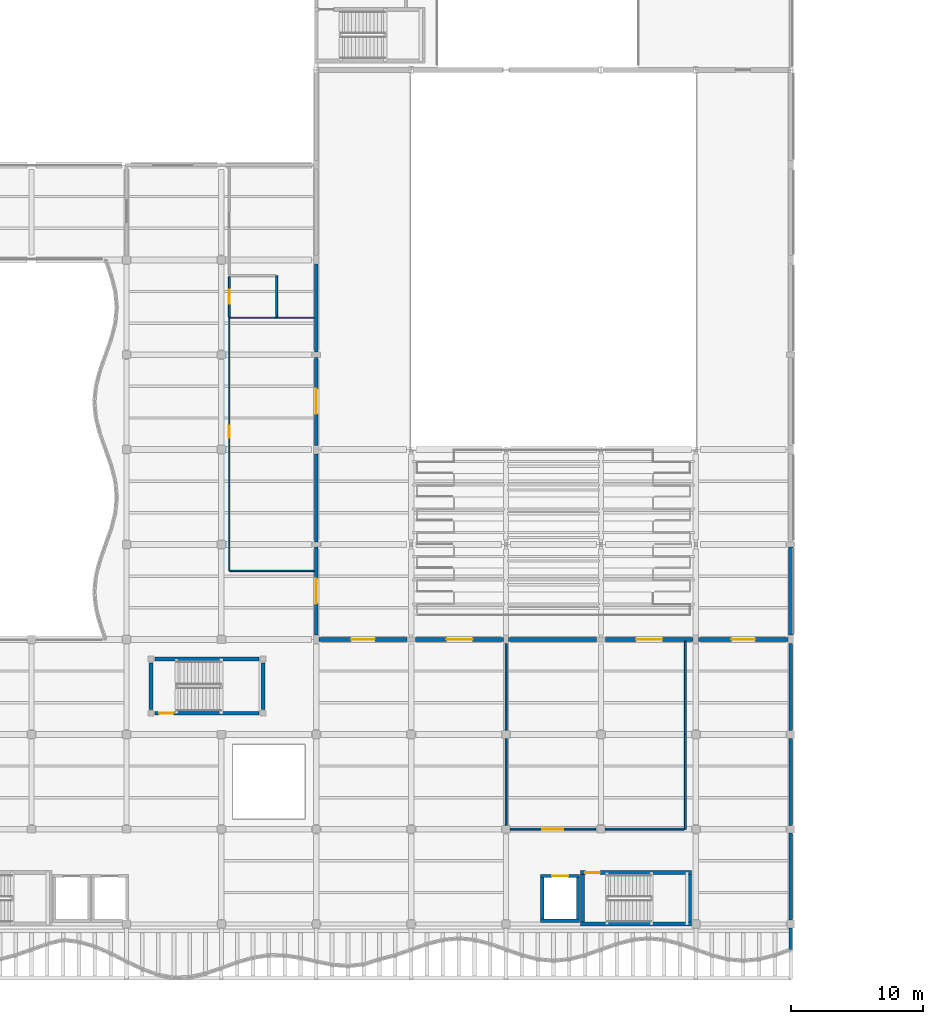
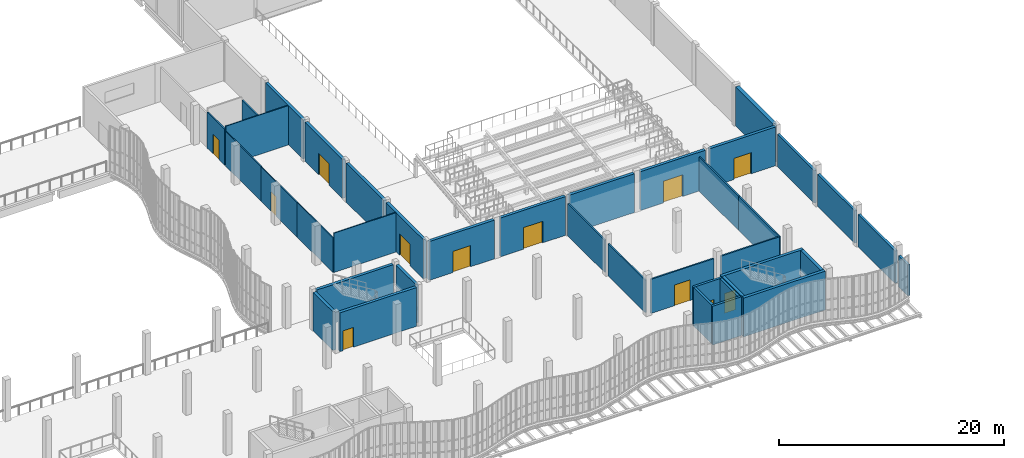
# One storey, part 90 of 105: 39 walls, 12 doors, 12 openings.
"""IFC4 building model written with IfcOpenShell, lengths in metres."""

from ifc_helpers import new_model, si_unit, direction, frame, frame_2d, origin, place, context, subcontext, project, spatial, rectangle, extrude, material, layer, layer_set, type_object, element, fill, save


model = new_model("IFC4")

# Units and contexts
model_context = context("Model", 3, precision=1e-05, world=origin(), true_north=direction((0.0, 1.0)))
body_context = subcontext(model_context, "Body", "Model", "MODEL_VIEW")
ifc_project = project(units=[si_unit("LENGTHUNIT", "METRE"), si_unit("AREAUNIT", "SQUARE_METRE"), si_unit("VOLUMEUNIT", "CUBIC_METRE"), si_unit("PLANEANGLEUNIT", "RADIAN"), si_unit("MASSUNIT", "GRAM", prefix="KILO"), si_unit("THERMODYNAMICTEMPERATUREUNIT", "KELVIN"), si_unit("POWERUNIT", "WATT")], contexts=[model_context])

# Site, building, storey
site_placement = place(None, origin())
site = spatial("IfcSite", under=ifc_project, at=site_placement, CompositionType="ELEMENT")
building_placement = place(site_placement, origin())
building = spatial("IfcBuilding", under=site, at=building_placement, Name="Kaldorven Railside Theatre", CompositionType="ELEMENT")
storey_placement = place(building_placement, frame((0.0, 0.0, 9.89990234375)))
storey = spatial("IfcBuildingStorey", under=building, at=storey_placement, Name="L02", CompositionType="ELEMENT", Elevation=9.89990234375)

# Walls
ifc_material_1 = material(Name="Architectural concrete C40/50", Category="concrete")
ifc_layer_1 = layer(ifc_material_1, 0.3798828125, Name="Architectural concrete C40/50")
ifc_layer_set_1 = layer_set([ifc_layer_1], Name="Architectural concrete C40/50")
wall_type_1 = type_object("IfcWallType", Name="WL-EW02", PredefinedType="SHEAR", material=ifc_layer_set_1)
wall_1_placement = place(storey_placement, frame((123.199951171875, 47.800048828125, 0.0), z_axis=(0.0, 0.0, 1.0), x_axis=(0.0, -1.0, 0.0)))
element("IfcWall", 1, at=wall_1_placement, inside=storey, type_object=wall_type_1, Name="V1 L02 Exterior Wall EW-0256", PredefinedType="SHEAR", context=body_context, shape_type="SweptSolid", body=[
    extrude(rectangle(XDim=6.675048828125, YDim=0.3798828125, at=frame_2d((3.33740234375, 0.0))), origin(), (0.0, 0.0, 1.0), 4.25),
])
ifc_material_2 = material(Name="Precast concrete C40/50", Category="concrete")
ifc_layer_2 = layer(ifc_material_2, 0.25, Name="Precast concrete C40/50")
ifc_layer_set_2 = layer_set([ifc_layer_2], Name="Precast concrete C40/50")
wall_type_2 = type_object("IfcWallType", Name="WL-EW06", PredefinedType="SOLIDWALL", material=ifc_layer_set_2)
wall_2_placement = place(storey_placement, frame((123.199951171875, 40.47509765625, 0.0), z_axis=(0.0, 0.0, 1.0), x_axis=(0.0, -1.0, 0.0)))
element("IfcWall", 2, at=wall_2_placement, inside=storey, type_object=wall_type_2, Name="V5 L02 Exterior Wall EW-0220", PredefinedType="SOLIDWALL", context=body_context, shape_type="SweptSolid", body=[
    extrude(rectangle(XDim=6.5751953125, YDim=0.25, at=frame_2d((3.28759765625, 0.0))), origin(), (0.0, 0.0, 1.0), 3.51513671875),
])
for number, where, z_axis, x_axis, name in (
    (3, (123.199951171875, 33.300048828125, 0.0), (0.0, 0.0, 1.0), (0.0, -1.0, 0.0), "V5 L02 Exterior Wall EW-0221"),
    (4, (123.199951171875, 26.10009765625, 0.0), (0.0, 0.0, 1.0), (0.0, -1.0, 0.0), "V5 L02 Exterior Wall EW-0222"),
):
    element("IfcWall", number, at=place(storey_placement, frame(where, z_axis=z_axis, x_axis=x_axis)), inside=storey, type_object=wall_type_2, Name=name, PredefinedType="SOLIDWALL", context=body_context, shape_type="SweptSolid", body=[
        extrude(rectangle(XDim=6.60009765625, YDim=0.25, at=frame_2d((3.300048828125, 0.0))), origin(), (0.0, 0.0, 1.0), 3.51513671875),
    ])
wall_3_placement = place(storey_placement, frame((123.199951171875, 17.25, 0.0), z_axis=(0.0, 0.0, 1.0), x_axis=(0.0, 1.0, 0.0)))
element("IfcWall", 5, at=wall_3_placement, inside=storey, type_object=wall_type_2, Name="L02 Sinusoidal Foyer E End Return Wall EW-0473", PredefinedType="SOLIDWALL", context=body_context, shape_type="SweptSolid", body=[
    extrude(rectangle(XDim=1.64990234375, YDim=0.25, at=frame_2d((0.824951171875, 0.0))), origin(), (0.0, 0.0, 1.0), 3.375),
])
ifc_material_3 = material(Name="Acoustic gypsum board")
ifc_layer_3 = layer(ifc_material_3, 0.14990234375, Name="Acoustic gypsum board")
ifc_layer_set_3 = layer_set([ifc_layer_3], Name="Acoustic gypsum board")
wall_type_3 = type_object("IfcWallType", Name="WL-IW-AC1", PredefinedType="PARTITIONING", material=ifc_layer_set_3)
wall_4_placement = place(storey_placement, frame((115.199951171875, 26.39990234375, 0.0), z_axis=(0.0, 0.0, 1.0), x_axis=(0.0, 1.0, 0.0)))
element("IfcWall", 6, at=wall_4_placement, inside=storey, type_object=wall_type_3, Name="L02 Interior Wall IW-0587", PredefinedType="PARTITIONING", context=body_context, shape_type="SweptSolid", body=[
    extrude(rectangle(XDim=7.2001953125, YDim=0.14990234375, at=frame_2d((3.60009765625, 0.0))), origin(), (0.0, 0.0, 1.0), 3.715087890625),
])
wall_5_placement = place(storey_placement, frame((115.199951171875, 33.60009765625, 0.0), z_axis=(0.0, 0.0, 1.0), x_axis=(0.0, 1.0, 0.0)))
element("IfcWall", 7, at=wall_5_placement, inside=storey, type_object=wall_type_3, Name="L02 Interior Wall IW-0588", PredefinedType="PARTITIONING", context=body_context, shape_type="SweptSolid", body=[
    extrude(rectangle(XDim=7.0478515625, YDim=0.14990234375, at=frame_2d((3.52392578125, 0.0))), origin(), (0.0, 0.0, 1.0), 3.715087890625),
])
wall_6_placement = place(storey_placement, frame((101.60009765625, 40.47509765625, 0.0), z_axis=(0.0, 0.0, 1.0), x_axis=(0.0, -1.0, 0.0)))
element("IfcWall", 8, at=wall_6_placement, inside=storey, type_object=wall_type_3, Name="L02 Interior Wall IW-0589", PredefinedType="PARTITIONING", context=body_context, shape_type="SweptSolid", body=[
    extrude(rectangle(XDim=6.5751953125, YDim=0.14990234375, at=frame_2d((3.28759765625, 0.0))), origin(), (0.0, 0.0, 1.0), 3.51513671875),
])
wall_7_placement = place(storey_placement, frame((101.60009765625, 33.300048828125, 0.0), z_axis=(0.0, 0.0, 1.0), x_axis=(0.0, -1.0, 0.0)))
element("IfcWall", 9, at=wall_7_placement, inside=storey, type_object=wall_type_3, Name="L02 Interior Wall IW-0590", PredefinedType="PARTITIONING", context=body_context, shape_type="SweptSolid", body=[
    extrude(rectangle(XDim=6.60009765625, YDim=0.14990234375, at=frame_2d((3.300048828125, 0.0))), origin(), (0.0, 0.0, 1.0), 3.51513671875),
])

# Wall, opening, door
wall_8_placement = place(storey_placement, frame((101.89990234375, 26.39990234375, 0.0), z_axis=(0.0, 0.0, 1.0), x_axis=(1.0, 0.0, 0.0)))
wall_8 = element("IfcWall", 10, at=wall_8_placement, inside=storey, type_object=wall_type_3, Name="L02 Interior Wall IW-0591", PredefinedType="PARTITIONING", context=body_context, shape_type="SweptSolid", body=[
    extrude(rectangle(XDim=6.5, YDim=0.14990234375, at=frame_2d((3.25, 0.0))), origin(), (0.0, 0.0, 1.0), 3.715087890625),
])
opening_1_placement = place(wall_8_placement, frame((2.449951171875, 0.0, 0.0)))
opening_1 = element("IfcOpeningElement", 11, at=opening_1_placement, cuts=wall_8, Name="Opening ID-0135", PredefinedType="OPENING", context=body_context, shape_type="SweptSolid", body=[
    extrude(rectangle(XDim=1.60009765625, YDim=2.25, at=frame_2d((0.800048828125, 1.125))), frame((0.0, 0.0849609375, 0.0), z_axis=(0.0, -1.0, 0.0), x_axis=(1.0, 0.0, 0.0)), (0.0, 0.0, 1.0), 0.169921875),
])
ifc_material_4 = material(Name="Acoustic hardwood timber", Category="wood")
door_type_1 = type_object("IfcDoorType", Name="DR-ID-REH1", OperationType="NOTDEFINED", PredefinedType="DOOR", material=ifc_material_4)
door_1_placement = place(opening_1_placement, origin())
door_1 = element("IfcDoor", 12, at=door_1_placement, inside=storey, type_object=door_type_1, Name="Theatre Archive Room Entry Door", OperationType="DOUBLE_DOOR_SINGLE_SWING", OverallHeight=2.25, OverallWidth=1.60009765625, PredefinedType="DOOR", context=body_context, shape_type="SweptSolid", body=[
    extrude(rectangle(XDim=1.60009765625, YDim=2.25, at=frame_2d((0.800048828125, 1.125))), frame((0.0, 0.02490234375, 0.0), z_axis=(0.0, -1.0, 0.0), x_axis=(1.0, 0.0, 0.0)), (0.0, 0.0, 1.0), 0.050048828125),
])
fill(opening_1, door_1)

# Walls
wall_9_placement = place(storey_placement, frame((109.10009765625, 26.39990234375, 0.0), z_axis=(0.0, 0.0, 1.0), x_axis=(1.0, 0.0, 0.0)))
element("IfcWall", 13, at=wall_9_placement, inside=storey, type_object=wall_type_3, Name="L02 Interior Wall IW-0592", PredefinedType="PARTITIONING", context=body_context, shape_type="SweptSolid", body=[
    extrude(rectangle(XDim=6.02294921875, YDim=0.14990234375, at=frame_2d((3.011474609375, 0.0))), origin(), (0.0, 0.0, 1.0), 3.715087890625),
])
wall_10_placement = place(storey_placement, frame((84.199951171875, 65.251953125, 0.0), z_axis=(0.0, 0.0, 1.0), x_axis=(0.0, 1.0, 0.0)))
element("IfcWall", 14, at=wall_10_placement, inside=storey, type_object=wall_type_3, Name="L02 Interior Wall IW-0598", PredefinedType="PARTITIONING", context=body_context, shape_type="SweptSolid", body=[
    extrude(rectangle(XDim=3.14794921875, YDim=0.14990234375, at=frame_2d((1.573974609375, 0.0))), origin(), (0.0, 0.0, 1.0), 3.9150390625),
])

# Wall, opening, door
wall_11_placement = place(storey_placement, frame((80.60009765625, 68.322998046875, 0.0), z_axis=(0.0, 0.0, 1.0), x_axis=(0.0, -1.0, 0.0)))
wall_11 = element("IfcWall", 15, at=wall_11_placement, inside=storey, type_object=wall_type_3, Name="L02 Interior Wall IW-0600", PredefinedType="PARTITIONING", context=body_context, shape_type="SweptSolid", body=[
    extrude(rectangle(XDim=3.071044921875, YDim=0.14990234375, at=frame_2d((1.53564453125, 0.0))), origin(), (0.0, 0.0, 1.0), 3.9150390625),
])
opening_2_placement = place(wall_11_placement, frame((1.010498046875, 0.0, 0.0)))
opening_2 = element("IfcOpeningElement", 16, at=opening_2_placement, cuts=wall_11, Name="Opening ID-0137", PredefinedType="OPENING", context=body_context, shape_type="SweptSolid", body=[
    extrude(rectangle(XDim=1.050048828125, YDim=2.1201171875, at=frame_2d((0.52490234375, 1.06005859375))), frame((0.0, 0.0849609375, 0.0), z_axis=(0.0, -1.0, 0.0), x_axis=(1.0, 0.0, 0.0)), (0.0, 0.0, 1.0), 0.169921875),
])
door_type_2 = type_object("IfcDoorType", Name="DR-ID-AWC1", OperationType="NOTDEFINED", PredefinedType="DOOR", material=ifc_material_4)
door_2_placement = place(opening_2_placement, origin())
door_2 = element("IfcDoor", 17, at=door_2_placement, inside=storey, type_object=door_type_2, Name="Upper Circle Accessible WC Entry Door", OperationType="SINGLE_SWING_RIGHT", OverallHeight=2.1201171875, OverallWidth=1.050048828125, PredefinedType="DOOR", context=body_context, shape_type="SweptSolid", body=[
    extrude(rectangle(XDim=1.050048828125, YDim=2.1201171875, at=frame_2d((0.52490234375, 1.06005859375))), frame((0.0, 0.02490234375, 0.0), z_axis=(0.0, -1.0, 0.0), x_axis=(1.0, 0.0, 0.0)), (0.0, 0.0, 1.0), 0.050048828125),
])
fill(opening_2, door_2)

# Walls
ifc_material_5 = material(Name="Concrete C40/50", Category="concrete")
ifc_layer_4 = layer(ifc_material_5, 0.300048828125, Name="Concrete C40/50")
ifc_layer_set_4 = layer_set([ifc_layer_4], Name="Concrete C40/50")
wall_type_4 = type_object("IfcWallType", Name="WL-IW-CORE", PredefinedType="SHEAR", material=ifc_layer_set_4)
wall_12_placement = place(storey_placement, frame((115.64990234375, 19.199951171875, 0.0), z_axis=(0.0, 0.0, 1.0), x_axis=(-1.0, 0.0, 0.0)))
element("IfcWall", 18, at=wall_12_placement, inside=storey, type_object=wall_type_4, Name="L02 Core Wall CW-0101", PredefinedType="SHEAR", context=body_context, shape_type="SweptSolid", body=[
    extrude(rectangle(XDim=8.39990234375, YDim=0.300048828125, at=frame_2d((4.199951171875, 0.0))), origin(), (0.0, 0.0, 1.0), 4.22021484375),
])
wall_13_placement = place(storey_placement, frame((107.39990234375, 19.35205078125, 0.0), z_axis=(0.0, 0.0, 1.0), x_axis=(0.0, 1.0, 0.0)))
element("IfcWall", 19, at=wall_13_placement, inside=storey, type_object=wall_type_4, Name="L02 Core Wall CW-0102", PredefinedType="SHEAR", context=body_context, shape_type="SweptSolid", body=[
    extrude(rectangle(XDim=3.597900390625, YDim=0.300048828125, at=frame_2d((1.798828125, 0.0))), origin(), (0.0, 0.0, 1.0), 4.22021484375),
])

# Wall, opening, door
wall_14_placement = place(storey_placement, frame((107.25, 23.10009765625, 0.0), z_axis=(0.0, 0.0, 1.0), x_axis=(1.0, 0.0, 0.0)))
wall_14 = element("IfcWall", 20, at=wall_14_placement, inside=storey, type_object=wall_type_4, Name="L02 Core Wall CW-0103", PredefinedType="SHEAR", context=body_context, shape_type="SweptSolid", body=[
    extrude(rectangle(XDim=8.39990234375, YDim=0.300048828125, at=frame_2d((4.199951171875, 0.0))), origin(), (0.0, 0.0, 1.0), 4.22021484375),
])
opening_3_placement = place(wall_14_placement, frame((0.3701171875, 0.0, 0.0)))
opening_3 = element("IfcOpeningElement", 21, at=opening_3_placement, cuts=wall_14, Name="Opening ID-0016", PredefinedType="OPENING", context=body_context, shape_type="SweptSolid", body=[
    extrude(rectangle(XDim=1.10009765625, YDim=2.14990234375, at=frame_2d((0.550048828125, 1.074951171875))), frame((0.0, 0.16015625, 0.0), z_axis=(0.0, -1.0, 0.0), x_axis=(1.0, 0.0, 0.0)), (0.0, 0.0, 1.0), 0.320068359375),
])
door_type_3 = type_object("IfcDoorType", Name="DR-ID-FD60", OperationType="NOTDEFINED", PredefinedType="DOOR", material=ifc_material_4)
door_3_placement = place(opening_3_placement, origin())
door_3 = element("IfcDoor", 22, at=door_3_placement, inside=storey, type_object=door_type_3, Name="Stair ST-04 Fire Door", OperationType="SINGLE_SWING_RIGHT", OverallHeight=2.14990234375, OverallWidth=1.10009765625, PredefinedType="DOOR", context=body_context, shape_type="SweptSolid", body=[
    extrude(rectangle(XDim=1.10009765625, YDim=2.14990234375, at=frame_2d((0.550048828125, 1.074951171875))), frame((0.0, 0.02490234375, 0.0), z_axis=(0.0, -1.0, 0.0), x_axis=(1.0, 0.0, 0.0)), (0.0, 0.0, 1.0), 0.050048828125),
])
fill(opening_3, door_3)

# Wall
wall_15_placement = place(storey_placement, frame((115.5, 22.947998046875, 0.0), z_axis=(0.0, 0.0, 1.0), x_axis=(0.0, -1.0, 0.0)))
element("IfcWall", 23, at=wall_15_placement, inside=storey, type_object=wall_type_4, Name="L02 Core Wall CW-0104", PredefinedType="SHEAR", context=body_context, shape_type="SweptSolid", body=[
    extrude(rectangle(XDim=3.595947265625, YDim=0.300048828125, at=frame_2d((1.7978515625, 0.0))), origin(), (0.0, 0.0, 1.0), 4.22021484375),
])

# Wall, opening, door
wall_16_placement = place(storey_placement, frame((82.85009765625, 35.199951171875, 0.0), z_axis=(0.0, 0.0, 1.0), x_axis=(-1.0, 0.0, 0.0)))
wall_16 = element("IfcWall", 24, at=wall_16_placement, inside=storey, type_object=wall_type_4, Name="L02 Core Wall CW-0297", PredefinedType="SHEAR", context=body_context, shape_type="SweptSolid", body=[
    extrude(rectangle(XDim=7.900146484375, YDim=0.300048828125, at=frame_2d((3.9501953125, 0.0))), origin(), (0.0, 0.0, 1.0), 4.22021484375),
])
opening_4_placement = place(wall_16_placement, frame((6.47998046875, 0.0, 0.0)))
opening_4 = element("IfcOpeningElement", 25, at=opening_4_placement, cuts=wall_16, Name="Opening ID-0048", PredefinedType="OPENING", context=body_context, shape_type="SweptSolid", body=[
    extrude(rectangle(XDim=1.10009765625, YDim=2.14990234375, at=frame_2d((0.550048828125, 1.074951171875))), frame((0.0, 0.16015625, 0.0), z_axis=(0.0, -1.0, 0.0), x_axis=(1.0, 0.0, 0.0)), (0.0, 0.0, 1.0), 0.320068359375),
])
door_4_placement = place(opening_4_placement, origin())
door_4 = element("IfcDoor", 26, at=door_4_placement, inside=storey, type_object=door_type_3, Name="Stair ST-07 Fire Door", OperationType="SINGLE_SWING_RIGHT", OverallHeight=2.14990234375, OverallWidth=1.10009765625, PredefinedType="DOOR", context=body_context, shape_type="SweptSolid", body=[
    extrude(rectangle(XDim=1.10009765625, YDim=2.14990234375, at=frame_2d((0.550048828125, 1.074951171875))), frame((0.0, 0.02490234375, 0.0), z_axis=(0.0, -1.0, 0.0), x_axis=(1.0, 0.0, 0.0)), (0.0, 0.0, 1.0), 0.050048828125),
])
fill(opening_4, door_4)

# Walls
wall_17_placement = place(storey_placement, frame((74.64990234375, 35.5, 0.0), z_axis=(0.0, 0.0, 1.0), x_axis=(0.0, 1.0, 0.0)))
element("IfcWall", 27, at=wall_17_placement, inside=storey, type_object=wall_type_4, Name="L02 Core Wall CW-0298", PredefinedType="SHEAR", context=body_context, shape_type="SweptSolid", body=[
    extrude(rectangle(XDim=3.5, YDim=0.300048828125, at=frame_2d((1.75, 0.0))), origin(), (0.0, 0.0, 1.0), 4.22021484375),
])
wall_18_placement = place(storey_placement, frame((74.949951171875, 39.300048828125, 0.0), z_axis=(0.0, 0.0, 1.0), x_axis=(1.0, 0.0, 0.0)))
element("IfcWall", 28, at=wall_18_placement, inside=storey, type_object=wall_type_4, Name="L02 Core Wall CW-0299", PredefinedType="SHEAR", context=body_context, shape_type="SweptSolid", body=[
    extrude(rectangle(XDim=7.900146484375, YDim=0.300048828125, at=frame_2d((3.9501953125, 0.0))), origin(), (0.0, 0.0, 1.0), 4.22021484375),
])
wall_19_placement = place(storey_placement, frame((83.14990234375, 39.0, 0.0), z_axis=(0.0, 0.0, 1.0), x_axis=(0.0, -1.0, 0.0)))
element("IfcWall", 29, at=wall_19_placement, inside=storey, type_object=wall_type_4, Name="L02 Core Wall CW-0300", PredefinedType="SHEAR", context=body_context, shape_type="SweptSolid", body=[
    extrude(rectangle(XDim=3.5, YDim=0.300048828125, at=frame_2d((1.75, 0.0))), origin(), (0.0, 0.0, 1.0), 4.22021484375),
])

# Wall, opening, door
wall_20_placement = place(storey_placement, frame((87.39990234375, 40.800048828125, 0.0), z_axis=(0.0, 0.0, 1.0), x_axis=(1.0, 0.0, 0.0)))
wall_20 = element("IfcWall", 30, at=wall_20_placement, inside=storey, type_object=wall_type_4, Name="L02 Interior Wall AW-0367", PredefinedType="SHEAR", context=body_context, shape_type="SweptSolid", body=[
    extrude(rectangle(XDim=6.675048828125, YDim=0.300048828125, at=frame_2d((3.33740234375, 0.0))), origin(), (0.0, 0.0, 1.0), 4.22021484375),
])
opening_5_placement = place(wall_20_placement, frame((2.4375, 0.0, 0.0)))
opening_5 = element("IfcOpeningElement", 31, at=opening_5_placement, cuts=wall_20, Name="Opening ID-0072", PredefinedType="OPENING", context=body_context, shape_type="SweptSolid", body=[
    extrude(rectangle(XDim=1.800048828125, YDim=2.300048828125, at=frame_2d((0.89990234375, 1.14990234375))), frame((0.0, 0.16015625, 0.0), z_axis=(0.0, -1.0, 0.0), x_axis=(1.0, 0.0, 0.0)), (0.0, 0.0, 1.0), 0.320068359375),
])
door_type_4 = type_object("IfcDoorType", Name="DR-ID-SL60", OperationType="NOTDEFINED", PredefinedType="DOOR", material=ifc_material_4)
door_5_placement = place(opening_5_placement, origin())
door_5 = element("IfcDoor", 32, at=door_5_placement, inside=storey, type_object=door_type_4, Name="L02 Auditorium Sound-Lock Portal", OperationType="DOUBLE_DOOR_SINGLE_SWING", OverallHeight=2.300048828125, OverallWidth=1.800048828125, PredefinedType="DOOR", context=body_context, shape_type="SweptSolid", body=[
    extrude(rectangle(XDim=1.800048828125, YDim=2.300048828125, at=frame_2d((0.89990234375, 1.14990234375))), frame((0.0, 0.02490234375, 0.0), z_axis=(0.0, -1.0, 0.0), x_axis=(1.0, 0.0, 0.0)), (0.0, 0.0, 1.0), 0.050048828125),
])
fill(opening_5, door_5)

wall_21_placement = place(storey_placement, frame((94.72509765625, 40.800048828125, 0.0), z_axis=(0.0, 0.0, 1.0), x_axis=(1.0, 0.0, 0.0)))
wall_21 = element("IfcWall", 33, at=wall_21_placement, inside=storey, type_object=wall_type_4, Name="L02 Interior Wall AW-0368", PredefinedType="SHEAR", context=body_context, shape_type="SweptSolid", body=[
    extrude(rectangle(XDim=6.6748046875, YDim=0.300048828125, at=frame_2d((3.33740234375, 0.0))), origin(), (0.0, 0.0, 1.0), 4.22021484375),
])
opening_6_placement = place(wall_21_placement, frame((2.33740234375, 0.0, 0.0)))
opening_6 = element("IfcOpeningElement", 34, at=opening_6_placement, cuts=wall_21, Name="Opening ID-0073", PredefinedType="OPENING", context=body_context, shape_type="SweptSolid", body=[
    extrude(rectangle(XDim=2.0, YDim=2.35009765625, at=frame_2d((1.0, 1.175048828125))), frame((0.0, 0.16015625, 0.0), z_axis=(0.0, -1.0, 0.0), x_axis=(1.0, 0.0, 0.0)), (0.0, 0.0, 1.0), 0.320068359375),
])
door_type_5 = type_object("IfcDoorType", Name="DR-ID-AUD2", OperationType="NOTDEFINED", PredefinedType="DOOR", material=ifc_material_4)
door_6_placement = place(opening_6_placement, origin())
door_6 = element("IfcDoor", 35, at=door_6_placement, inside=storey, type_object=door_type_5, Name="L02 Auditorium Sound-Lock Portal", OperationType="DOUBLE_DOOR_SINGLE_SWING", OverallHeight=2.35009765625, OverallWidth=2.0, PredefinedType="DOOR", context=body_context, shape_type="SweptSolid", body=[
    extrude(rectangle(XDim=2.0, YDim=2.35009765625, at=frame_2d((1.0, 1.175048828125))), frame((0.0, 0.02490234375, 0.0), z_axis=(0.0, -1.0, 0.0), x_axis=(1.0, 0.0, 0.0)), (0.0, 0.0, 1.0), 0.050048828125),
])
fill(opening_6, door_6)

# Wall
wall_22_placement = place(storey_placement, frame((101.800048828125, 40.800048828125, 0.0), z_axis=(0.0, 0.0, 1.0), x_axis=(1.0, 0.0, 0.0)))
element("IfcWall", 36, at=wall_22_placement, inside=storey, type_object=wall_type_4, Name="L02 Interior Wall AW-0369", PredefinedType="SHEAR", context=body_context, shape_type="SweptSolid", body=[
    extrude(rectangle(XDim=6.675048828125, YDim=0.300048828125, at=frame_2d((3.33740234375, 0.0))), origin(), (0.0, 0.0, 1.0), 4.22021484375),
])

# Wall, opening, door
wall_23_placement = place(storey_placement, frame((109.125, 40.800048828125, 0.0), z_axis=(0.0, 0.0, 1.0), x_axis=(1.0, 0.0, 0.0)))
wall_23 = element("IfcWall", 37, at=wall_23_placement, inside=storey, type_object=wall_type_4, Name="L02 Interior Wall AW-0370", PredefinedType="SHEAR", context=body_context, shape_type="SweptSolid", body=[
    extrude(rectangle(XDim=6.675048828125, YDim=0.300048828125, at=frame_2d((3.33740234375, 0.0))), origin(), (0.0, 0.0, 1.0), 4.22021484375),
])
opening_7_placement = place(wall_23_placement, frame((2.33740234375, 0.0, 0.0)))
opening_7 = element("IfcOpeningElement", 38, at=opening_7_placement, cuts=wall_23, Name="Opening ID-0074", PredefinedType="OPENING", context=body_context, shape_type="SweptSolid", body=[
    extrude(rectangle(XDim=2.0, YDim=2.35009765625, at=frame_2d((1.0, 1.175048828125))), frame((0.0, 0.16015625, 0.0), z_axis=(0.0, -1.0, 0.0), x_axis=(1.0, 0.0, 0.0)), (0.0, 0.0, 1.0), 0.320068359375),
])
door_7_placement = place(opening_7_placement, origin())
door_7 = element("IfcDoor", 39, at=door_7_placement, inside=storey, type_object=door_type_5, Name="L02 Auditorium Sound-Lock Portal", OperationType="DOUBLE_DOOR_SINGLE_SWING", OverallHeight=2.35009765625, OverallWidth=2.0, PredefinedType="DOOR", context=body_context, shape_type="SweptSolid", body=[
    extrude(rectangle(XDim=2.0, YDim=2.35009765625, at=frame_2d((1.0, 1.175048828125))), frame((0.0, 0.02490234375, 0.0), z_axis=(0.0, -1.0, 0.0), x_axis=(1.0, 0.0, 0.0)), (0.0, 0.0, 1.0), 0.050048828125),
])
fill(opening_7, door_7)

wall_24_placement = place(storey_placement, frame((116.199951171875, 40.800048828125, 0.0), z_axis=(0.0, 0.0, 1.0), x_axis=(1.0, 0.0, 0.0)))
wall_24 = element("IfcWall", 40, at=wall_24_placement, inside=storey, type_object=wall_type_4, Name="L02 Interior Wall AW-0371", PredefinedType="SHEAR", context=body_context, shape_type="SweptSolid", body=[
    extrude(rectangle(XDim=6.800048828125, YDim=0.300048828125, at=frame_2d((3.39990234375, 0.0))), origin(), (0.0, 0.0, 1.0), 4.22021484375),
])
opening_8_placement = place(wall_24_placement, frame((2.5, 0.0, 0.0)))
opening_8 = element("IfcOpeningElement", 41, at=opening_8_placement, cuts=wall_24, Name="Opening ID-0075", PredefinedType="OPENING", context=body_context, shape_type="SweptSolid", body=[
    extrude(rectangle(XDim=1.800048828125, YDim=2.300048828125, at=frame_2d((0.89990234375, 1.14990234375))), frame((0.0, 0.16015625, 0.0), z_axis=(0.0, -1.0, 0.0), x_axis=(1.0, 0.0, 0.0)), (0.0, 0.0, 1.0), 0.320068359375),
])
door_8_placement = place(opening_8_placement, origin())
door_8 = element("IfcDoor", 42, at=door_8_placement, inside=storey, type_object=door_type_4, Name="L02 Auditorium Sound-Lock Portal", OperationType="DOUBLE_DOOR_SINGLE_SWING", OverallHeight=2.300048828125, OverallWidth=1.800048828125, PredefinedType="DOOR", context=body_context, shape_type="SweptSolid", body=[
    extrude(rectangle(XDim=1.800048828125, YDim=2.300048828125, at=frame_2d((0.89990234375, 1.14990234375))), frame((0.0, 0.02490234375, 0.0), z_axis=(0.0, -1.0, 0.0), x_axis=(1.0, 0.0, 0.0)), (0.0, 0.0, 1.0), 0.050048828125),
])
fill(opening_8, door_8)

wall_25_placement = place(storey_placement, frame((87.199951171875, 41.125, 0.0), z_axis=(0.0, 0.0, 1.0), x_axis=(0.0, 1.0, 0.0)))
wall_25 = element("IfcWall", 43, at=wall_25_placement, inside=storey, type_object=wall_type_4, Name="L02 Interior Wall AW-0372", PredefinedType="SHEAR", context=body_context, shape_type="SweptSolid", body=[
    extrude(rectangle(XDim=6.675048828125, YDim=0.300048828125, at=frame_2d((3.33740234375, 0.0))), origin(), (0.0, 0.0, 1.0), 4.25),
])
opening_9_placement = place(wall_25_placement, frame((2.387451171875, 0.0, 0.0)))
opening_9 = element("IfcOpeningElement", 44, at=opening_9_placement, cuts=wall_25, Name="Opening ID-0076", PredefinedType="OPENING", context=body_context, shape_type="SweptSolid", body=[
    extrude(rectangle(XDim=1.89990234375, YDim=2.35009765625, at=frame_2d((0.949951171875, 1.175048828125))), frame((0.0, 0.16015625, 0.0), z_axis=(0.0, -1.0, 0.0), x_axis=(1.0, 0.0, 0.0)), (0.0, 0.0, 1.0), 0.320068359375),
])
door_type_6 = type_object("IfcDoorType", Name="DR-ID-AUD1", OperationType="NOTDEFINED", PredefinedType="DOOR", material=ifc_material_4)
door_9_placement = place(opening_9_placement, origin())
door_9 = element("IfcDoor", 45, at=door_9_placement, inside=storey, type_object=door_type_6, Name="L02 West Gallery / Vomitory Door", OperationType="DOUBLE_DOOR_SINGLE_SWING", OverallHeight=2.35009765625, OverallWidth=1.89990234375, PredefinedType="DOOR", context=body_context, shape_type="SweptSolid", body=[
    extrude(rectangle(XDim=1.89990234375, YDim=2.35009765625, at=frame_2d((0.949951171875, 1.175048828125))), frame((0.0, 0.02490234375, 0.0), z_axis=(0.0, -1.0, 0.0), x_axis=(1.0, 0.0, 0.0)), (0.0, 0.0, 1.0), 0.050048828125),
])
fill(opening_9, door_9)

# Wall
wall_26_placement = place(storey_placement, frame((87.199951171875, 48.199951171875, 0.0), z_axis=(0.0, 0.0, 1.0), x_axis=(0.0, 1.0, 0.0)))
element("IfcWall", 46, at=wall_26_placement, inside=storey, type_object=wall_type_4, Name="L02 Interior Wall AW-0373", PredefinedType="SHEAR", context=body_context, shape_type="SweptSolid", body=[
    extrude(rectangle(XDim=6.675048828125, YDim=0.300048828125, at=frame_2d((3.33740234375, 0.0))), origin(), (0.0, 0.0, 1.0), 4.25),
])

# Wall, opening, door
wall_27_placement = place(storey_placement, frame((87.199951171875, 55.52490234375, 0.0), z_axis=(0.0, 0.0, 1.0), x_axis=(0.0, 1.0, 0.0)))
wall_27 = element("IfcWall", 47, at=wall_27_placement, inside=storey, type_object=wall_type_4, Name="L02 Interior Wall AW-0374", PredefinedType="SHEAR", context=body_context, shape_type="SweptSolid", body=[
    extrude(rectangle(XDim=6.675048828125, YDim=0.300048828125, at=frame_2d((3.33740234375, 0.0))), origin(), (0.0, 0.0, 1.0), 4.25),
])
opening_10_placement = place(wall_27_placement, frame((2.387451171875, 0.0, 0.0)))
opening_10 = element("IfcOpeningElement", 48, at=opening_10_placement, cuts=wall_27, Name="Opening ID-0077", PredefinedType="OPENING", context=body_context, shape_type="SweptSolid", body=[
    extrude(rectangle(XDim=1.89990234375, YDim=2.35009765625, at=frame_2d((0.949951171875, 1.175048828125))), frame((0.0, 0.16015625, 0.0), z_axis=(0.0, -1.0, 0.0), x_axis=(1.0, 0.0, 0.0)), (0.0, 0.0, 1.0), 0.320068359375),
])
door_10_placement = place(opening_10_placement, origin())
door_10 = element("IfcDoor", 49, at=door_10_placement, inside=storey, type_object=door_type_6, Name="L02 West Gallery / Vomitory Door", OperationType="DOUBLE_DOOR_SINGLE_SWING", OverallHeight=2.35009765625, OverallWidth=1.89990234375, PredefinedType="DOOR", context=body_context, shape_type="SweptSolid", body=[
    extrude(rectangle(XDim=1.89990234375, YDim=2.35009765625, at=frame_2d((0.949951171875, 1.175048828125))), frame((0.0, 0.02490234375, 0.0), z_axis=(0.0, -1.0, 0.0), x_axis=(1.0, 0.0, 0.0)), (0.0, 0.0, 1.0), 0.050048828125),
])
fill(opening_10, door_10)

# Walls
wall_28_placement = place(storey_placement, frame((87.199951171875, 62.60009765625, 0.0), z_axis=(0.0, 0.0, 1.0), x_axis=(0.0, 1.0, 0.0)))
element("IfcWall", 50, at=wall_28_placement, inside=storey, type_object=wall_type_4, Name="L02 Interior Wall AW-0375", PredefinedType="SHEAR", context=body_context, shape_type="SweptSolid", body=[
    extrude(rectangle(XDim=6.6748046875, YDim=0.300048828125, at=frame_2d((3.33740234375, 0.0))), origin(), (0.0, 0.0, 1.0), 4.25),
])
ifc_material_6 = material(Name="Fire-rated acoustic gypsum board")
ifc_layer_5 = layer(ifc_material_6, 0.10009765625, Name="Fire-rated acoustic gypsum board")
ifc_layer_set_5 = layer_set([ifc_layer_5], Name="Fire-rated acoustic gypsum board")
wall_type_5 = type_object("IfcWallType", Name="WL-IW-PT2", PredefinedType="PARTITIONING", material=ifc_layer_set_5)
wall_29_placement = place(storey_placement, frame((87.048095703125, 65.199951171875, 0.0), z_axis=(0.0, 0.0, 1.0), x_axis=(-1.0, 0.0, 0.0)))
element("IfcWall", 51, at=wall_29_placement, inside=storey, type_object=wall_type_5, Name="L02 Interior Wall IW-0593", PredefinedType="PARTITIONING", context=body_context, shape_type="SweptSolid", body=[
    extrude(rectangle(XDim=6.447998046875, YDim=0.10009765625, at=frame_2d((3.22412109375, 0.0))), origin(), (0.0, 0.0, 1.0), 4.280029296875),
])
wall_30_placement = place(storey_placement, frame((80.60009765625, 65.14794921875, 0.0), z_axis=(0.0, 0.0, 1.0), x_axis=(0.0, -1.0, 0.0)))
element("IfcWall", 52, at=wall_30_placement, inside=storey, type_object=wall_type_5, Name="L02 Interior Wall IW-0594", PredefinedType="PARTITIONING", context=body_context, shape_type="SweptSolid", body=[
    extrude(rectangle(XDim=6.347900390625, YDim=0.10009765625, at=frame_2d((3.173828125, 0.0))), origin(), (0.0, 0.0, 1.0), 3.775146484375),
])

# Wall, opening, door
wall_31_placement = place(storey_placement, frame((80.60009765625, 58.800048828125, 0.0), z_axis=(0.0, 0.0, 1.0), x_axis=(0.0, -1.0, 0.0)))
wall_31 = element("IfcWall", 53, at=wall_31_placement, inside=storey, type_object=wall_type_5, Name="L02 Interior Wall IW-0595", PredefinedType="PARTITIONING", context=body_context, shape_type="SweptSolid", body=[
    extrude(rectangle(XDim=6.400146484375, YDim=0.10009765625, at=frame_2d((3.2001953125, 0.0))), origin(), (0.0, 0.0, 1.0), 3.7451171875),
])
opening_11_placement = place(wall_31_placement, frame((1.7900390625, 0.0, 0.0)))
opening_11 = element("IfcOpeningElement", 54, at=opening_11_placement, cuts=wall_31, Name="Opening ID-0136", PredefinedType="OPENING", context=body_context, shape_type="SweptSolid", body=[
    extrude(rectangle(XDim=0.919921875, YDim=2.10009765625, at=frame_2d((0.4599609375, 1.050048828125))), frame((0.0, 0.06005859375, 0.0), z_axis=(0.0, -1.0, 0.0), x_axis=(1.0, 0.0, 0.0)), (0.0, 0.0, 1.0), 0.1201171875),
])
door_type_7 = type_object("IfcDoorType", Name="DR-ID-WC1", OperationType="NOTDEFINED", PredefinedType="DOOR", material=ifc_material_4)
door_11_placement = place(opening_11_placement, origin())
door_11 = element("IfcDoor", 55, at=door_11_placement, inside=storey, type_object=door_type_7, Name="Upper Circle Public WC Entry Door", OperationType="SINGLE_SWING_LEFT", OverallHeight=2.10009765625, OverallWidth=0.919921875, PredefinedType="DOOR", context=body_context, shape_type="SweptSolid", body=[
    extrude(rectangle(XDim=0.919921875, YDim=2.10009765625, at=frame_2d((0.4599609375, 1.050048828125))), frame((0.0, 0.02490234375, 0.0), z_axis=(0.0, -1.0, 0.0), x_axis=(1.0, 0.0, 0.0)), (0.0, 0.0, 1.0), 0.050048828125),
])
fill(opening_11, door_11)

# Walls
wall_32_placement = place(storey_placement, frame((80.60009765625, 52.39990234375, 0.0), z_axis=(0.0, 0.0, 1.0), x_axis=(0.0, -1.0, 0.0)))
element("IfcWall", 56, at=wall_32_placement, inside=storey, type_object=wall_type_5, Name="L02 Interior Wall IW-0596", PredefinedType="PARTITIONING", context=body_context, shape_type="SweptSolid", body=[
    extrude(rectangle(XDim=6.39990234375, YDim=0.10009765625, at=frame_2d((3.199951171875, 0.0))), origin(), (0.0, 0.0, 1.0), 3.775146484375),
])
wall_33_placement = place(storey_placement, frame((80.652099609375, 46.0, 0.0), z_axis=(0.0, 0.0, 1.0), x_axis=(1.0, 0.0, 0.0)))
element("IfcWall", 57, at=wall_33_placement, inside=storey, type_object=wall_type_5, Name="L02 Interior Wall IW-0597", PredefinedType="PARTITIONING", context=body_context, shape_type="SweptSolid", body=[
    extrude(rectangle(XDim=6.39599609375, YDim=0.10009765625, at=frame_2d((3.197998046875, 0.0))), origin(), (0.0, 0.0, 1.0), 4.280029296875),
])
ifc_layer_6 = layer(ifc_material_5, 0.239990234375, Name="Concrete C40/50")
ifc_layer_set_6 = layer_set([ifc_layer_6], Name="Concrete C40/50")
wall_type_6 = type_object("IfcWallType", Name="WL-IW-SHAFT", PredefinedType="SHEAR", material=ifc_layer_set_6)
wall_34_placement = place(storey_placement, frame((107.169921875, 19.449951171875, 0.0), z_axis=(0.0, 0.0, 1.0), x_axis=(-1.0, 0.0, 0.0)))
element("IfcWall", 58, at=wall_34_placement, inside=storey, type_object=wall_type_6, Name="L02 Interior Wall SW-0121", PredefinedType="SHEAR", context=body_context, shape_type="SweptSolid", body=[
    extrude(rectangle(XDim=2.93994140625, YDim=0.239990234375, at=frame_2d((1.469970703125, 0.0))), origin(), (0.0, 0.0, 1.0), 4.22021484375),
])
wall_35_placement = place(storey_placement, frame((104.35009765625, 19.572021484375, 0.0), z_axis=(0.0, 0.0, 1.0), x_axis=(0.0, 1.0, 0.0)))
element("IfcWall", 59, at=wall_35_placement, inside=storey, type_object=wall_type_6, Name="L02 Interior Wall SW-0122", PredefinedType="SHEAR", context=body_context, shape_type="SweptSolid", body=[
    extrude(rectangle(XDim=3.157958984375, YDim=0.239990234375, at=frame_2d((1.5791015625, 0.0))), origin(), (0.0, 0.0, 1.0), 4.22021484375),
])

# Wall, opening, door
wall_36_placement = place(storey_placement, frame((104.22998046875, 22.85009765625, 0.0), z_axis=(0.0, 0.0, 1.0), x_axis=(1.0, 0.0, 0.0)))
wall_36 = element("IfcWall", 60, at=wall_36_placement, inside=storey, type_object=wall_type_6, Name="L02 Interior Wall SW-0123", PredefinedType="SHEAR", context=body_context, shape_type="SweptSolid", body=[
    extrude(rectangle(XDim=2.93994140625, YDim=0.239990234375, at=frame_2d((1.469970703125, 0.0))), origin(), (0.0, 0.0, 1.0), 4.22021484375),
])
opening_12_placement = place(wall_36_placement, frame((0.8701171875, 0.0, 0.0)))
opening_12 = element("IfcOpeningElement", 61, at=opening_12_placement, cuts=wall_36, Name="Opening LD-014", PredefinedType="OPENING", context=body_context, shape_type="SweptSolid", body=[
    extrude(rectangle(XDim=1.199951171875, YDim=2.14990234375, at=frame_2d((0.60009765625, 1.074951171875))), frame((0.0, 0.1298828125, 0.0), z_axis=(0.0, -1.0, 0.0), x_axis=(1.0, 0.0, 0.0)), (0.0, 0.0, 1.0), 0.260009765625),
])
ifc_material_7 = material(Name="Powder-coated hollow-metal steel", Category="steel")
door_type_8 = type_object("IfcDoorType", Name="DR-LD-PASS", OperationType="NOTDEFINED", PredefinedType="DOOR", material=ifc_material_7)
door_12_placement = place(opening_12_placement, origin())
door_12 = element("IfcDoor", 62, at=door_12_placement, inside=storey, type_object=door_type_8, Name="Lift LF-P3 Sliding Landing Door", OperationType="DOUBLE_DOOR_SLIDING", OverallHeight=2.14990234375, OverallWidth=1.199951171875, PredefinedType="DOOR", context=body_context, shape_type="SweptSolid", body=[
    extrude(rectangle(XDim=1.199951171875, YDim=2.14990234375, at=frame_2d((0.60009765625, 1.074951171875))), frame((0.0, 0.02490234375, 0.0), z_axis=(0.0, -1.0, 0.0), x_axis=(1.0, 0.0, 0.0)), (0.0, 0.0, 1.0), 0.050048828125),
])
fill(opening_12, door_12)

# Wall
wall_37_placement = place(storey_placement, frame((107.050048828125, 22.72802734375, 0.0), z_axis=(0.0, 0.0, 1.0), x_axis=(0.0, -1.0, 0.0)))
element("IfcWall", 63, at=wall_37_placement, inside=storey, type_object=wall_type_6, Name="L02 Interior Wall SW-0124", PredefinedType="SHEAR", context=body_context, shape_type="SweptSolid", body=[
    extrude(rectangle(XDim=3.156005859375, YDim=0.239990234375, at=frame_2d((1.578125, 0.0))), origin(), (0.0, 0.0, 1.0), 4.22021484375),
])

save(model, "model.ifc")
